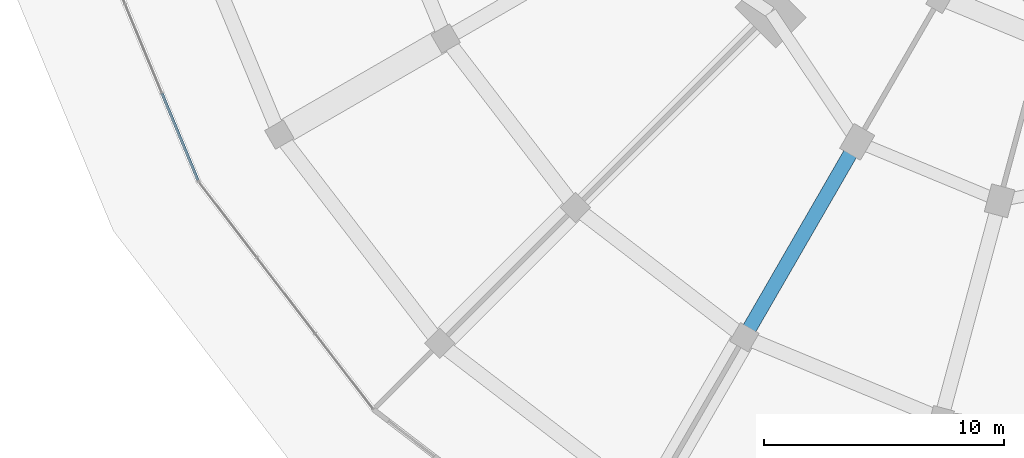
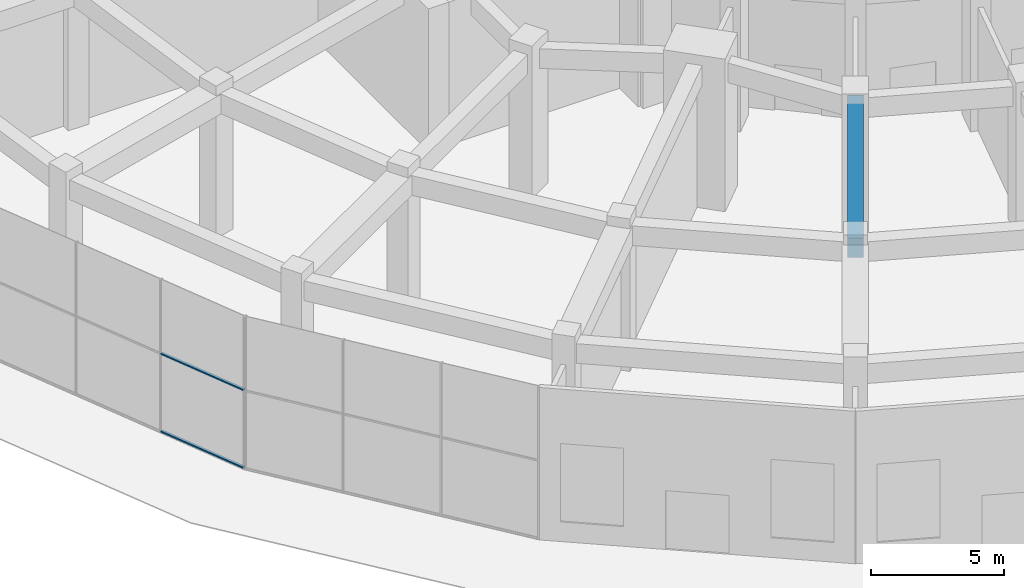
# One storey, part 5 of 31: 2 members, 1 beam, 1 element without a shape of its own.
"""IFC4 building model written with IfcOpenShell, lengths in metres."""

from ifc_helpers import new_model, si_unit, direction, frame, origin, origin_2d, place, context, subcontext, project, spatial, rectangle, extrude, material, layer, layer_set, material_profile, profile_set, type_object, element, aggregate, save


model = new_model("IFC4")

# Units and contexts
model_context = context("Model", 3, precision=1e-05, world=origin(), true_north=direction((0.0, 1.0)))
body_context = subcontext(model_context, "Body", "Model", "MODEL_VIEW")
ifc_project = project(units=[si_unit("LENGTHUNIT", "METRE"), si_unit("AREAUNIT", "SQUARE_METRE"), si_unit("VOLUMEUNIT", "CUBIC_METRE"), si_unit("PLANEANGLEUNIT", "RADIAN"), si_unit("MASSUNIT", "GRAM", prefix="KILO")], contexts=[model_context])

# Site, building, storey
site_placement = place(None, origin())
site = spatial("IfcSite", under=ifc_project, at=site_placement, CompositionType="ELEMENT")
building_placement = place(site_placement, origin())
building = spatial("IfcBuilding", under=site, at=building_placement, Name="Torre Brocal", CompositionType="ELEMENT")
storey_placement = place(building_placement, origin())
storey = spatial("IfcBuildingStorey", under=building, at=storey_placement, Name="L00", CompositionType="ELEMENT", Elevation=0.0)

# Curtain wall, members
ifc_material_1 = material(Name="Aluminium and glass", Category="aluminium")
ifc_layer = layer(ifc_material_1, 0.199951171875)
ifc_layer_set = layer_set([ifc_layer], Name="Aluminium and glass")
curtain_wall_type = type_object("IfcCurtainWallType", Name="CW-3 CURTAIN WALL 7000 HIGH", PredefinedType="NOTDEFINED", material=ifc_layer_set)
curtain_wall_placement = place(storey_placement, origin())
curtain_wall = element("IfcCurtainWall", 1, at=curtain_wall_placement, inside=storey, type_object=curtain_wall_type, Name="CW-3 RUN 14", PredefinedType="NOTDEFINED")
ifc_material_2 = material(Name="Aluminium, dark anodised", Category="aluminium")
ifc_material_profile_1 = material_profile(ifc_material_2, rectangle(XDim=0.1201171875, YDim=0.06005859375, at=origin_2d()), Name="CW-3 TRANSOM 120X60")
ifc_profile_set_1 = profile_set([ifc_material_profile_1], Name="Aluminium, dark anodised")
member_type = type_object("IfcMemberType", Name="CW-3 TRANSOM 120X60", PredefinedType="USERDEFINED", material=ifc_profile_set_1)
member_1_placement = place(storey_placement, frame((38.731201171875, 55.71728515625, 0.030029296875), z_axis=(0.382694751573, -0.92387484386, 0.0), x_axis=(0.92387484386, 0.382694751573, 0.0)))
member_1 = element("IfcMember", 2, at=member_1_placement, type_object=member_type, Name="CW3-1 transom 3.1", ObjectType="TRANSOM", PredefinedType="USERDEFINED", context=body_context, shape_type="SweptSolid", body=[
    extrude(rectangle(XDim=0.1201171875, YDim=0.06005859375, at=origin_2d()), origin(), (0.0, 0.0, 1.0), 3.9189453125),
])
member_2_placement = place(storey_placement, frame((38.731201171875, 55.71728515625, 3.60009765625), z_axis=(0.382694751573, -0.92387484386, 0.0), x_axis=(0.92387484386, 0.382694751573, 0.0)))
member_2 = element("IfcMember", 3, at=member_2_placement, type_object=member_type, Name="CW3-1 transom 3.2", ObjectType="TRANSOM", PredefinedType="USERDEFINED", context=body_context, shape_type="SweptSolid", body=[
    extrude(rectangle(XDim=0.1201171875, YDim=0.06005859375, at=origin_2d()), origin(), (0.0, 0.0, 1.0), 3.9189453125),
])
aggregate(curtain_wall, [member_1, member_2])

# Beam
ifc_material_3 = material(Name="Concrete C50", Category="concrete")
ifc_material_profile_2 = material_profile(ifc_material_3, rectangle(XDim=0.60009765625, YDim=0.89990234375, at=origin_2d()), Name="RC 600X900")
ifc_profile_set_2 = profile_set([ifc_material_profile_2], Name="Concrete C50")
beam_type = type_object("IfcBeamType", Name="RC BEAM 600X900 C50 TOP 6550", PredefinedType="BEAM", material=ifc_profile_set_2)
beam_placement = place(storey_placement, frame((67.699951171875, 53.69580078125, 6.10009765625), z_axis=(-0.499996739618, -0.866027286158, 0.0), x_axis=(0.866027286158, -0.499996739618, 0.0)))
element("IfcBeam", 4, at=beam_placement, inside=storey, type_object=beam_type, Name="Beam BT-07", PredefinedType="BEAM", context=body_context, shape_type="SweptSolid", body=[
    extrude(rectangle(XDim=0.60009765625, YDim=0.89990234375, at=origin_2d()), origin(), (0.0, 0.0, 1.0), 9.39990234375),
])

save(model, "model.ifc")
